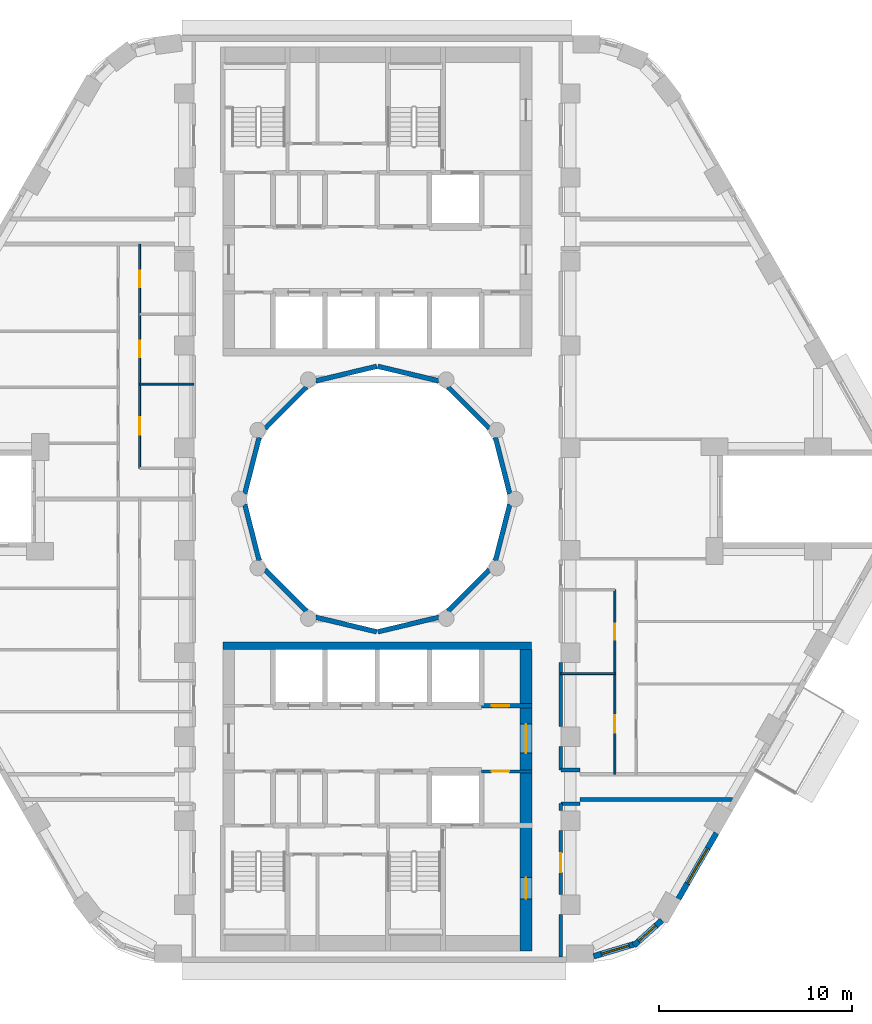
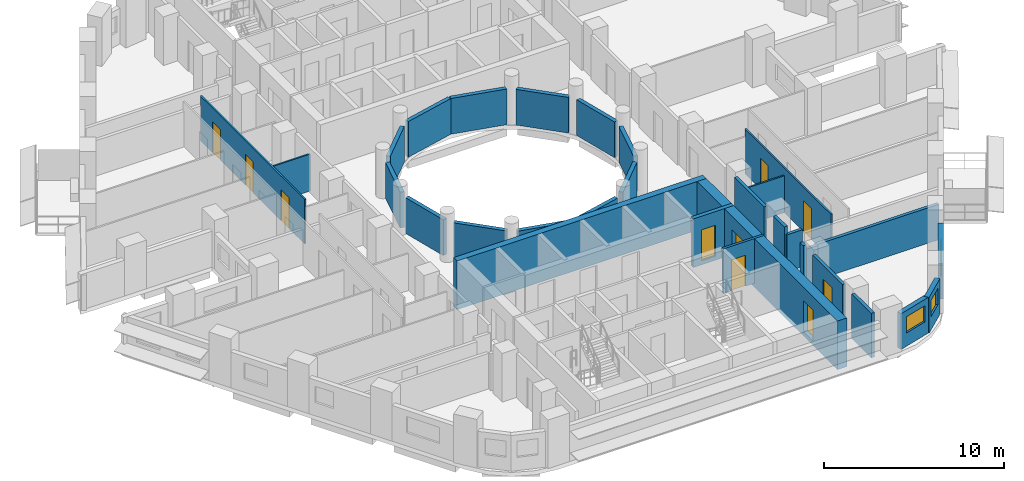
# One storey, part 5 of 14: 31 walls, 10 doors, 3 windows, 13 openings.
"""IFC4 building model written with IfcOpenShell, lengths in metres."""

from ifc_helpers import new_model, si_unit, direction, frame, frame_2d, origin, place, context, subcontext, project, spatial, rectangle, extrude, material, layer, layer_set, type_object, element, fill, save


model = new_model("IFC4")

# Units and contexts
model_context = context("Model", 3, precision=1e-05, world=origin(), true_north=direction((0.0, 1.0)))
body_context = subcontext(model_context, "Body", "Model", "MODEL_VIEW")
ifc_project = project(units=[si_unit("LENGTHUNIT", "METRE"), si_unit("AREAUNIT", "SQUARE_METRE"), si_unit("VOLUMEUNIT", "CUBIC_METRE"), si_unit("PLANEANGLEUNIT", "RADIAN"), si_unit("MASSUNIT", "GRAM", prefix="KILO")], contexts=[model_context])

# Site, building, storey
site_placement = place(None, origin())
site = spatial("IfcSite", under=ifc_project, at=site_placement, CompositionType="ELEMENT")
building_placement = place(site_placement, origin())
building = spatial("IfcBuilding", under=site, at=building_placement, Name="Nakaniwa Court", CompositionType="ELEMENT")
storey_placement = place(building_placement, frame((0.0, 0.0, 110.699951171875)))
storey = spatial("IfcBuildingStorey", under=building, at=storey_placement, Name="L29", CompositionType="ELEMENT", Elevation=110.699951171875)

# Wall
ifc_material_1 = material(Name="Acoustic double stud partition")
ifc_layer_1 = layer(ifc_material_1, 0.199951171875)
ifc_layer_set_1 = layer_set([ifc_layer_1], Name="Acoustic double stud partition")
wall_type_1 = type_object("IfcWallType", Name="Acoustic double stud partition 200", PredefinedType="PARTITIONING", material=ifc_layer_set_1)
wall_1_placement = place(storey_placement, frame((89.5, 56.300048828125, 0.0), z_axis=(0.0, 0.0, 1.0), x_axis=(0.0, 1.0, 0.0)))
element("IfcWall", 1, at=wall_1_placement, inside=storey, type_object=wall_type_1, Name="Partition PW-069", PredefinedType="PARTITIONING", context=body_context, shape_type="SweptSolid", body=[
    extrude(rectangle(XDim=2.182861328125, YDim=0.199951171875, at=frame_2d((1.09130859375, 0.0))), origin(), (0.0, 0.0, 1.0), 3.025146484375),
])

# Wall, opening, door
wall_2_placement = place(storey_placement, frame((89.5, 62.8330078125, 0.0), z_axis=(0.0, 0.0, 1.0), x_axis=(0.0, -1.0, 0.0)))
wall_2 = element("IfcWall", 2, at=wall_2_placement, inside=storey, type_object=wall_type_1, Name="Partition PW-070", PredefinedType="PARTITIONING", context=body_context, shape_type="SweptSolid", body=[
    extrude(rectangle(XDim=3.31591796875, YDim=0.199951171875, at=frame_2d((1.657958984375, 0.0))), origin(), (0.0, 0.0, 1.0), 3.025146484375),
])
opening_1_placement = place(wall_2_placement, frame((1.157958984375, 0.0, 0.0)))
opening_1 = element("IfcOpeningElement", 3, at=opening_1_placement, cuts=wall_2, Name="Opening D-02-01", PredefinedType="OPENING", context=body_context, shape_type="SweptSolid", body=[
    extrude(rectangle(XDim=1.0, YDim=2.10009765625, at=frame_2d((0.5, 1.050048828125))), frame((0.0, 0.10986328125, 0.0), z_axis=(0.0, -1.0, 0.0), x_axis=(1.0, 0.0, 0.0)), (0.0, 0.0, 1.0), 0.219970703125),
])
ifc_material_2 = material(Name="Solid core timber door set, black veneer", Category="wood")
door_type_1 = type_object("IfcDoorType", Name="Internal door 1000", OperationType="NOTDEFINED", PredefinedType="DOOR", material=ifc_material_2)
door_1_placement = place(opening_1_placement, origin())
door_1 = element("IfcDoor", 4, at=door_1_placement, inside=storey, type_object=door_type_1, Name="Door D-02-01 L29-027", OperationType="SINGLE_SWING_RIGHT", OverallHeight=2.10009765625, OverallWidth=1.0, PredefinedType="DOOR", context=body_context, shape_type="SweptSolid", body=[
    extrude(rectangle(XDim=1.0, YDim=2.10009765625, at=frame_2d((0.5, 1.050048828125))), frame((0.0, 0.02490234375, 0.0), z_axis=(0.0, -1.0, 0.0), x_axis=(1.0, 0.0, 0.0)), (0.0, 0.0, 1.0), 0.050048828125),
])
fill(opening_1, door_1)

# Walls
wall_3_placement = place(storey_placement, frame((89.5, 63.866943359375, 0.0), z_axis=(0.0, 0.0, 1.0), x_axis=(0.0, 1.0, 0.0)))
element("IfcWall", 5, at=wall_3_placement, inside=storey, type_object=wall_type_1, Name="Partition PW-071", PredefinedType="PARTITIONING", context=body_context, shape_type="SweptSolid", body=[
    extrude(rectangle(XDim=0.361083984375, YDim=0.199951171875, at=frame_2d((0.1806640625, 0.0))), origin(), (0.0, 0.0, 1.0), 3.025146484375),
])
wall_4_placement = place(storey_placement, frame((89.5, 65.971923828125, 0.0), z_axis=(0.0, 0.0, 1.0), x_axis=(0.0, 1.0, 0.0)))
element("IfcWall", 6, at=wall_4_placement, inside=storey, type_object=wall_type_1, Name="Partition PW-072", PredefinedType="PARTITIONING", context=body_context, shape_type="SweptSolid", body=[
    extrude(rectangle(XDim=1.211181640625, YDim=0.199951171875, at=frame_2d((0.60546875, 0.0))), origin(), (0.0, 0.0, 1.0), 3.025146484375),
])
wall_5_placement = place(storey_placement, frame((89.5, 68.217041015625, 0.0), z_axis=(0.0, 0.0, 1.0), x_axis=(0.0, 1.0, 0.0)))
element("IfcWall", 7, at=wall_5_placement, inside=storey, type_object=wall_type_1, Name="Partition PW-073", PredefinedType="PARTITIONING", context=body_context, shape_type="SweptSolid", body=[
    extrude(rectangle(XDim=3.31591796875, YDim=0.199951171875, at=frame_2d((1.657958984375, 0.0))), origin(), (0.0, 0.0, 1.0), 3.025146484375),
])
wall_6_placement = place(storey_placement, frame((90.5, 64.449951171875, 0.0), z_axis=(0.0, 0.0, 1.0), x_axis=(1.0, 0.0, 0.0)))
element("IfcWall", 8, at=wall_6_placement, inside=storey, type_object=wall_type_1, Name="Partition PW-090", PredefinedType="PARTITIONING", context=body_context, shape_type="SweptSolid", body=[
    extrude(rectangle(XDim=7.888671875, YDim=0.199951171875, at=frame_2d((3.9443359375, 0.0))), origin(), (0.0, 0.0, 1.0), 2.405029296875),
])
for number, where, z_axis, x_axis, name in (
    (9, (89.5, 64.22509765625, 0.0), (0.0, 0.0, 1.0), (1.0, 0.0, 0.0), "Partition PW-092"),
    (10, (89.5, 65.97509765625, 0.0), (0.0, 0.0, 1.0), (1.0, 0.0, 0.0), "Partition PW-094"),
):
    element("IfcWall", number, at=place(storey_placement, frame(where, z_axis=z_axis, x_axis=x_axis)), inside=storey, type_object=wall_type_1, Name=name, PredefinedType="PARTITIONING", context=body_context, shape_type="SweptSolid", body=[
        extrude(rectangle(XDim=1.0, YDim=0.199951171875, at=frame_2d((0.5, 0.0))), origin(), (0.0, 0.0, 1.0), 2.505126953125),
    ])

# Wall, opening, window
ifc_material_3 = material(Name="Charcoal ceramic cladding")
ifc_layer_2 = layer(ifc_material_3, 0.02, Name="Ceramic cladding")
ifc_material_4 = material(Name="Ventilated air cavity")
ifc_layer_3 = layer(ifc_material_4, 0.04, ventilated=True, Name="Ventilated cavity")
ifc_material_5 = material(Name="Mineral wool insulation")
ifc_layer_4 = layer(ifc_material_5, 0.1, Name="Insulation")
ifc_material_6 = material(Name="Cement bonded sheathing board")
ifc_layer_5 = layer(ifc_material_6, 0.012, Name="Sheathing")
ifc_material_7 = material(Name="Cold-formed galvanised stud frame with mineral wool infill")
ifc_layer_6 = layer(ifc_material_7, 0.1, Name="Stud frame")
ifc_material_8 = material(Name="Fire-rated gypsum plasterboard lining")
ifc_layer_7 = layer(ifc_material_8, 0.028, Name="Lining")
ifc_layer_set_2 = layer_set([ifc_layer_2, ifc_layer_3, ifc_layer_4, ifc_layer_5, ifc_layer_6, ifc_layer_7], Name="Charcoal ceramic faced external wall system")
wall_type_2 = type_object("IfcWallType", Name="Black ceramic faced external wall 300", PredefinedType="SOLIDWALL", material=ifc_layer_set_2)
wall_7_placement = place(storey_placement, frame((91.203369140625, 56.329833984375, 0.0), z_axis=(0.0, 0.0, 1.0), x_axis=(0.95847736903, 0.285168604614, 0.0)))
wall_7 = element("IfcWall", 11, at=wall_7_placement, inside=storey, type_object=wall_type_2, Name="L29 external wall 27", PredefinedType="SOLIDWALL", context=body_context, shape_type="SweptSolid", body=[
    extrude(rectangle(XDim=2.261962890625, YDim=0.300048828125, at=frame_2d((1.130859375, 0.0))), origin(), (0.0, 0.0, 1.0), 2.425048828125),
])
opening_2_placement = place(wall_7_placement, frame((0.418701171875, 0.0, 0.89990234375)))
opening_2 = element("IfcOpeningElement", 12, at=opening_2_placement, cuts=wall_7, Name="Opening W5.24", PredefinedType="OPENING", context=body_context, shape_type="SweptSolid", body=[
    extrude(rectangle(XDim=1.5, YDim=1.10009765625, at=frame_2d((0.75, 0.550048828125))), frame((0.0, 0.159912109375, 0.0), z_axis=(0.0, -1.0, 0.0), x_axis=(1.0, 0.0, 0.0)), (0.0, 0.0, 1.0), 0.320068359375),
])
ifc_material_9 = material(Name="Black anodised aluminium frame with dark low-E laminated double glazing", Category="aluminium")
window_type_1 = type_object("IfcWindowType", Name="Dark glass window 1500x1100 sill 900", PartitioningType="SINGLE_PANEL", PredefinedType="WINDOW", material=ifc_material_9)
window_1_placement = place(opening_2_placement, origin())
window_1 = element("IfcWindow", 13, at=window_1_placement, inside=storey, type_object=window_type_1, Name="L29 habitable room window 27-0", OverallHeight=1.10009765625, OverallWidth=1.5, PartitioningType="SINGLE_PANEL", PredefinedType="WINDOW", context=body_context, shape_type="SweptSolid", body=[
    extrude(rectangle(XDim=1.5, YDim=1.10009765625, at=frame_2d((0.75, 0.550048828125))), frame((0.0, 0.030029296875, 0.0), z_axis=(0.0, -1.0, 0.0), x_axis=(1.0, 0.0, 0.0)), (0.0, 0.0, 1.0), 0.06005859375),
])
fill(opening_2, window_1)

wall_8_placement = place(storey_placement, frame((93.283447265625, 56.88671875, 0.0), z_axis=(0.0, 0.0, 1.0), x_axis=(0.743785734967, 0.668418117992, 0.0)))
wall_8 = element("IfcWall", 14, at=wall_8_placement, inside=storey, type_object=wall_type_2, Name="L29 external wall 28", PredefinedType="SOLIDWALL", context=body_context, shape_type="SweptSolid", body=[
    extrude(rectangle(XDim=1.9501953125, YDim=0.300048828125, at=frame_2d((0.97509765625, 0.0))), origin(), (0.0, 0.0, 1.0), 2.425048828125),
])
opening_3_placement = place(wall_8_placement, frame((0.334716796875, 0.0, 0.89990234375)))
opening_3 = element("IfcOpeningElement", 15, at=opening_3_placement, cuts=wall_8, Name="Opening W6.25", PredefinedType="OPENING", context=body_context, shape_type="SweptSolid", body=[
    extrude(rectangle(XDim=1.199951171875, YDim=1.10009765625, at=frame_2d((0.60009765625, 0.550048828125))), frame((0.0, 0.159912109375, 0.0), z_axis=(0.0, -1.0, 0.0), x_axis=(1.0, 0.0, 0.0)), (0.0, 0.0, 1.0), 0.320068359375),
])
window_type_2 = type_object("IfcWindowType", Name="Dark glass window 1200x1100 sill 900", PartitioningType="SINGLE_PANEL", PredefinedType="WINDOW", material=ifc_material_9)
window_2_placement = place(opening_3_placement, origin())
window_2 = element("IfcWindow", 16, at=window_2_placement, inside=storey, type_object=window_type_2, Name="L29 habitable room window 28-0", OverallHeight=1.10009765625, OverallWidth=1.199951171875, PartitioningType="SINGLE_PANEL", PredefinedType="WINDOW", context=body_context, shape_type="SweptSolid", body=[
    extrude(rectangle(XDim=1.199951171875, YDim=1.10009765625, at=frame_2d((0.60009765625, 0.550048828125))), frame((0.0, 0.030029296875, 0.0), z_axis=(0.0, -1.0, 0.0), x_axis=(1.0, 0.0, 0.0)), (0.0, 0.0, 1.0), 0.06005859375),
])
fill(opening_3, window_2)

wall_9_placement = place(storey_placement, frame((95.59033203125, 59.30322265625, 0.0), z_axis=(0.0, 0.0, 1.0), x_axis=(0.500003583557, 0.866023334807, 0.0)))
wall_9 = element("IfcWall", 17, at=wall_9_placement, inside=storey, type_object=wall_type_2, Name="L29 external wall 29", PredefinedType="SOLIDWALL", context=body_context, shape_type="SweptSolid", body=[
    extrude(rectangle(XDim=3.93408203125, YDim=0.300048828125, at=frame_2d((1.967041015625, 0.0))), origin(), (0.0, 0.0, 1.0), 2.425048828125),
])
opening_4_placement = place(wall_9_placement, frame((0.9169921875, 0.0, 0.89990234375)))
opening_4 = element("IfcOpeningElement", 18, at=opening_4_placement, cuts=wall_9, Name="Opening W7.26", PredefinedType="OPENING", context=body_context, shape_type="SweptSolid", body=[
    extrude(rectangle(XDim=2.10009765625, YDim=1.10009765625, at=frame_2d((1.050048828125, 0.550048828125))), frame((0.0, 0.159912109375, 0.0), z_axis=(0.0, -1.0, 0.0), x_axis=(1.0, 0.0, 0.0)), (0.0, 0.0, 1.0), 0.320068359375),
])
window_type_3 = type_object("IfcWindowType", Name="Dark glass window 2100x1100 sill 900", PartitioningType="SINGLE_PANEL", PredefinedType="WINDOW", material=ifc_material_9)
window_3_placement = place(opening_4_placement, origin())
window_3 = element("IfcWindow", 19, at=window_3_placement, inside=storey, type_object=window_type_3, Name="L29 habitable room window 29-0", OverallHeight=1.10009765625, OverallWidth=2.10009765625, PartitioningType="SINGLE_PANEL", PredefinedType="WINDOW", context=body_context, shape_type="SweptSolid", body=[
    extrude(rectangle(XDim=2.10009765625, YDim=1.10009765625, at=frame_2d((1.050048828125, 0.550048828125))), frame((0.0, 0.030029296875, 0.0), z_axis=(0.0, -1.0, 0.0), x_axis=(1.0, 0.0, 0.0)), (0.0, 0.0, 1.0), 0.06005859375),
])
fill(opening_4, window_3)

# Wall, opening, door
ifc_material_10 = material(Name="Blockwork partition", Category="masonry")
ifc_layer_8 = layer(ifc_material_10, 0.14990234375)
ifc_layer_set_3 = layer_set([ifc_layer_8], Name="Blockwork partition")
wall_type_3 = type_object("IfcWallType", Name="Blockwork partition 150", PredefinedType="PARTITIONING", material=ifc_layer_set_3)
wall_10_placement = place(storey_placement, frame((88.0, 65.89990234375, 0.0), z_axis=(0.0, 0.0, 1.0), x_axis=(-1.0, 0.0, 0.0)))
wall_10 = element("IfcWall", 20, at=wall_10_placement, inside=storey, type_object=wall_type_3, Name="Partition PW-052", PredefinedType="PARTITIONING", context=body_context, shape_type="SweptSolid", body=[
    extrude(rectangle(XDim=2.60302734375, YDim=0.14990234375, at=frame_2d((1.301513671875, 0.0))), origin(), (0.0, 0.0, 1.0), 3.025146484375),
])
opening_5_placement = place(wall_10_placement, frame((1.175048828125, 0.0, 0.0)))
opening_5 = element("IfcOpeningElement", 21, at=opening_5_placement, cuts=wall_10, Name="Opening D-05-14", PredefinedType="OPENING", context=body_context, shape_type="SweptSolid", body=[
    extrude(rectangle(XDim=0.89990234375, YDim=2.10009765625, at=frame_2d((0.449951171875, 1.050048828125))), frame((0.0, 0.0849609375, 0.0), z_axis=(0.0, -1.0, 0.0), x_axis=(1.0, 0.0, 0.0)), (0.0, 0.0, 1.0), 0.169921875),
])
ifc_material_11 = material(Name="Fire rated steel door set", Category="steel")
door_type_2 = type_object("IfcDoorType", Name="Service room door 900", OperationType="NOTDEFINED", PredefinedType="DOOR", material=ifc_material_11)
door_2_placement = place(opening_5_placement, origin())
door_2 = element("IfcDoor", 22, at=door_2_placement, inside=storey, type_object=door_type_2, Name="Door D-05-14 L29-021", OperationType="SINGLE_SWING_RIGHT", OverallHeight=2.10009765625, OverallWidth=0.89990234375, PredefinedType="DOOR", context=body_context, shape_type="SweptSolid", body=[
    extrude(rectangle(XDim=0.89990234375, YDim=2.10009765625, at=frame_2d((0.449951171875, 1.050048828125))), frame((0.0, 0.02490234375, 0.0), z_axis=(0.0, -1.0, 0.0), x_axis=(1.0, 0.0, 0.0)), (0.0, 0.0, 1.0), 0.050048828125),
])
fill(opening_5, door_2)

# Walls
ifc_layer_9 = layer(ifc_material_3, 0.02, Name="Ceramic cladding")
ifc_layer_10 = layer(ifc_material_4, 0.04, ventilated=True, Name="Ventilated cavity")
ifc_layer_11 = layer(ifc_material_5, 0.075, Name="Insulation")
ifc_layer_12 = layer(ifc_material_6, 0.012, Name="Sheathing")
ifc_layer_13 = layer(ifc_material_7, 0.075, Name="Stud frame")
ifc_layer_14 = layer(ifc_material_8, 0.028, Name="Lining")
ifc_layer_set_4 = layer_set([ifc_layer_9, ifc_layer_10, ifc_layer_11, ifc_layer_12, ifc_layer_13, ifc_layer_14], Name="Charcoal ceramic faced external wall system")
wall_type_4 = type_object("IfcWallType", Name="Charcoal ceramic faced well wall 250", PredefinedType="SOLIDWALL", material=ifc_layer_set_4)
wall_11_placement = place(storey_placement, frame((86.8603515625, 79.72998046875, 0.0), z_axis=(0.0, 0.0, 1.0), x_axis=(-0.247055971283, -0.969001211069, 0.0)))
element("IfcWall", 23, at=wall_11_placement, inside=storey, type_object=wall_type_4, Name="L29 external wall 36", PredefinedType="SOLIDWALL", context=body_context, shape_type="SweptSolid", body=[
    extrude(rectangle(XDim=3.010009765625, YDim=0.25, at=frame_2d((1.5048828125, 0.0))), origin(), (0.0, 0.0, 1.0), 2.425048828125),
])
wall_12_placement = place(storey_placement, frame((85.8056640625, 76.339111328125, 0.0), z_axis=(0.0, 0.0, 1.0), x_axis=(-0.707106781187, -0.707106781187, 0.0)))
element("IfcWall", 24, at=wall_12_placement, inside=storey, type_object=wall_type_4, Name="L29 external wall 37", PredefinedType="SOLIDWALL", context=body_context, shape_type="SweptSolid", body=[
    extrude(rectangle(XDim=3.033203125, YDim=0.25, at=frame_2d((1.5166015625, 0.0))), origin(), (0.0, 0.0, 1.0), 2.425048828125),
])
for number, where, z_axis, x_axis, name in (
    (25, (83.186279296875, 73.880615234375, 0.0), (0.0, 0.0, 1.0), (-0.972773113459, -0.231759508395, 0.0), "L29 external wall 38"),
    (26, (79.970947265625, 73.12841796875, 0.0), (0.0, 0.0, 1.0), (-0.972773113459, 0.231759508395, 0.0), "L29 external wall 39"),
):
    element("IfcWall", number, at=place(storey_placement, frame(where, z_axis=z_axis, x_axis=x_axis)), inside=storey, type_object=wall_type_4, Name=name, PredefinedType="SOLIDWALL", context=body_context, shape_type="SweptSolid", body=[
        extrude(rectangle(XDim=3.24560546875, YDim=0.25, at=frame_2d((1.622802734375, 0.0))), origin(), (0.0, 0.0, 1.0), 2.425048828125),
    ])
wall_13_placement = place(storey_placement, frame((76.339111328125, 74.1943359375, 0.0), z_axis=(0.0, 0.0, 1.0), x_axis=(-0.707106781187, 0.707106781187, 0.0)))
element("IfcWall", 27, at=wall_13_placement, inside=storey, type_object=wall_type_4, Name="L29 external wall 40", PredefinedType="SOLIDWALL", context=body_context, shape_type="SweptSolid", body=[
    extrude(rectangle(XDim=3.033203125, YDim=0.25, at=frame_2d((1.5166015625, 0.0))), origin(), (0.0, 0.0, 1.0), 2.425048828125),
])
for number, where, z_axis, x_axis, name in (
    (28, (73.88330078125, 76.813232421875, 0.0), (0.0, 0.0, 1.0), (-0.247055971283, 0.969001211069, 0.0), "L29 external wall 41"),
    (29, (73.1396484375, 80.27001953125, 0.0), (0.0, 0.0, 1.0), (0.247055971283, 0.969001211069, 0.0), "L29 external wall 42"),
):
    element("IfcWall", number, at=place(storey_placement, frame(where, z_axis=z_axis, x_axis=x_axis)), inside=storey, type_object=wall_type_4, Name=name, PredefinedType="SOLIDWALL", context=body_context, shape_type="SweptSolid", body=[
        extrude(rectangle(XDim=3.010009765625, YDim=0.25, at=frame_2d((1.5048828125, 0.0))), origin(), (0.0, 0.0, 1.0), 2.425048828125),
    ])
wall_14_placement = place(storey_placement, frame((74.1943359375, 83.660888671875, 0.0), z_axis=(0.0, 0.0, 1.0), x_axis=(0.707106781187, 0.707106781187, 0.0)))
element("IfcWall", 30, at=wall_14_placement, inside=storey, type_object=wall_type_4, Name="L29 external wall 43", PredefinedType="SOLIDWALL", context=body_context, shape_type="SweptSolid", body=[
    extrude(rectangle(XDim=3.033203125, YDim=0.25, at=frame_2d((1.5166015625, 0.0))), origin(), (0.0, 0.0, 1.0), 2.425048828125),
])
for number, where, z_axis, x_axis, name in (
    (31, (76.813720703125, 86.119384765625, 0.0), (0.0, 0.0, 1.0), (0.972773113459, 0.231759508395, 0.0), "L29 external wall 44"),
    (32, (80.029052734375, 86.87158203125, 0.0), (0.0, 0.0, 1.0), (0.972773113459, -0.231759508395, 0.0), "L29 external wall 45"),
):
    element("IfcWall", number, at=place(storey_placement, frame(where, z_axis=z_axis, x_axis=x_axis)), inside=storey, type_object=wall_type_4, Name=name, PredefinedType="SOLIDWALL", context=body_context, shape_type="SweptSolid", body=[
        extrude(rectangle(XDim=3.24560546875, YDim=0.25, at=frame_2d((1.622802734375, 0.0))), origin(), (0.0, 0.0, 1.0), 2.425048828125),
    ])
wall_15_placement = place(storey_placement, frame((83.660888671875, 85.8056640625, 0.0), z_axis=(0.0, 0.0, 1.0), x_axis=(0.707106781187, -0.707106781187, 0.0)))
element("IfcWall", 33, at=wall_15_placement, inside=storey, type_object=wall_type_4, Name="L29 external wall 46", PredefinedType="SOLIDWALL", context=body_context, shape_type="SweptSolid", body=[
    extrude(rectangle(XDim=3.033203125, YDim=0.25, at=frame_2d((1.5166015625, 0.0))), origin(), (0.0, 0.0, 1.0), 2.425048828125),
])
wall_16_placement = place(storey_placement, frame((86.11669921875, 83.186767578125, 0.0), z_axis=(0.0, 0.0, 1.0), x_axis=(0.247055971283, -0.969001211069, 0.0)))
element("IfcWall", 34, at=wall_16_placement, inside=storey, type_object=wall_type_4, Name="L29 external wall 47", PredefinedType="SOLIDWALL", context=body_context, shape_type="SweptSolid", body=[
    extrude(rectangle(XDim=3.010009765625, YDim=0.25, at=frame_2d((1.5048828125, 0.0))), origin(), (0.0, 0.0, 1.0), 2.425048828125),
])

# Wall, openings, doors
ifc_material_12 = material(Name="Concrete C80/100", Category="concrete")
ifc_layer_15 = layer(ifc_material_12, 0.60009765625)
ifc_layer_set_5 = layer_set([ifc_layer_15], Name="Concrete C80/100")
wall_type_5 = type_object("IfcWallType", Name="Concrete core side wall 600 C80", PredefinedType="SHEAR", material=ifc_layer_set_5)
wall_17_placement = place(storey_placement, frame((87.699951171875, 72.199951171875, -0.27490234375), z_axis=(0.0, 0.0, 1.0), x_axis=(0.0, -1.0, 0.0)))
wall_17 = element("IfcWall", 35, at=wall_17_placement, inside=storey, type_object=wall_type_5, Name="Core wall SW-49", PredefinedType="SHEAR", context=body_context, shape_type="SweptSolid", body=[
    extrude(rectangle(XDim=15.599853515625, YDim=0.60009765625, at=frame_2d((7.7998046875, 0.0))), origin(), (0.0, 0.0, 1.0), 3.300048828125),
])
opening_6_placement = place(wall_17_placement, frame((3.85009765625, 0.0, 0.27490234375)))
opening_6 = element("IfcOpeningElement", 36, at=opening_6_placement, cuts=wall_17, Name="Opening D-07-03", PredefinedType="OPENING", context=body_context, shape_type="SweptSolid", body=[
    extrude(rectangle(XDim=1.5, YDim=2.10009765625, at=frame_2d((0.75, 1.050048828125))), frame((0.0, 0.31005859375, 0.0), z_axis=(0.0, -1.0, 0.0), x_axis=(1.0, 0.0, 0.0)), (0.0, 0.0, 1.0), 0.6201171875),
])
opening_7_placement = place(wall_17_placement, frame((11.800048828125, 0.0, 0.27490234375)))
opening_7 = element("IfcOpeningElement", 37, at=opening_7_placement, cuts=wall_17, Name="Opening D-10-02", PredefinedType="OPENING", context=body_context, shape_type="SweptSolid", body=[
    extrude(rectangle(XDim=1.10009765625, YDim=2.10009765625, at=frame_2d((0.550048828125, 1.050048828125))), frame((0.0, 0.31005859375, 0.0), z_axis=(0.0, -1.0, 0.0), x_axis=(1.0, 0.0, 0.0)), (0.0, 0.0, 1.0), 0.6201171875),
])
door_type_3 = type_object("IfcDoorType", Name="Firefighting lobby door 1100", OperationType="NOTDEFINED", PredefinedType="DOOR", material=ifc_material_11)
door_3_placement = place(opening_7_placement, origin())
door_3 = element("IfcDoor", 38, at=door_3_placement, inside=storey, type_object=door_type_3, Name="Door D-10-02 L29-059", OperationType="SINGLE_SWING_RIGHT", OverallHeight=2.10009765625, OverallWidth=1.10009765625, PredefinedType="DOOR", context=body_context, shape_type="SweptSolid", body=[
    extrude(rectangle(XDim=1.10009765625, YDim=2.10009765625, at=frame_2d((0.550048828125, 1.050048828125))), frame((0.0, 0.02490234375, 0.0), z_axis=(0.0, -1.0, 0.0), x_axis=(1.0, 0.0, 0.0)), (0.0, 0.0, 1.0), 0.050048828125),
])
fill(opening_7, door_3)
ifc_material_13 = material(Name="Glazed fire rated steel double door set", Category="steel")
door_type_4 = type_object("IfcDoorType", Name="Lobby double door 1500", OperationType="NOTDEFINED", PredefinedType="DOOR", material=ifc_material_13)
door_4_placement = place(opening_6_placement, origin())
door_4 = element("IfcDoor", 39, at=door_4_placement, inside=storey, type_object=door_type_4, Name="Door D-07-03 L29-057", OperationType="DOUBLE_DOOR_SINGLE_SWING", OverallHeight=2.10009765625, OverallWidth=1.5, PredefinedType="DOOR", context=body_context, shape_type="SweptSolid", body=[
    extrude(rectangle(XDim=1.5, YDim=2.10009765625, at=frame_2d((0.75, 1.050048828125))), frame((0.0, 0.02490234375, 0.0), z_axis=(0.0, -1.0, 0.0), x_axis=(1.0, 0.0, 0.0)), (0.0, 0.0, 1.0), 0.050048828125),
])
fill(opening_6, door_4)

# Wall
ifc_layer_16 = layer(ifc_material_12, 0.39990234375)
ifc_layer_set_6 = layer_set([ifc_layer_16], Name="Concrete C80/100")
wall_type_6 = type_object("IfcWallType", Name="Concrete core well wall 400 C80", PredefinedType="SHEAR", material=ifc_layer_set_6)
wall_18_placement = place(storey_placement, frame((72.00390625, 72.39990234375, -0.27490234375), z_axis=(0.0, 0.0, 1.0), x_axis=(1.0, 0.0, 0.0)))
element("IfcWall", 40, at=wall_18_placement, inside=storey, type_object=wall_type_6, Name="Core wall SW-134", PredefinedType="SHEAR", context=body_context, shape_type="SweptSolid", body=[
    extrude(rectangle(XDim=15.9921875, YDim=0.39990234375, at=frame_2d((7.99609375, 0.0))), origin(), (0.0, 0.0, 1.0), 3.300048828125),
])

# Wall, opening, door
ifc_layer_17 = layer(ifc_material_12, 0.25)
ifc_layer_set_7 = layer_set([ifc_layer_17], Name="Concrete C80/100")
wall_type_7 = type_object("IfcWallType", Name="Concrete shaft wall 250 C80", PredefinedType="SHEAR", material=ifc_layer_set_7)
wall_19_placement = place(storey_placement, frame((85.39990234375, 69.300048828125, -0.27490234375), z_axis=(0.0, 0.0, 1.0), x_axis=(1.0, 0.0, 0.0)))
wall_19 = element("IfcWall", 41, at=wall_19_placement, inside=storey, type_object=wall_type_7, Name="Core wall SW-48", PredefinedType="SHEAR", context=body_context, shape_type="SweptSolid", body=[
    extrude(rectangle(XDim=2.60009765625, YDim=0.25, at=frame_2d((1.300048828125, 0.0))), origin(), (0.0, 0.0, 1.0), 3.300048828125),
])
opening_8_placement = place(wall_19_placement, frame((0.52490234375, 0.0, 0.27490234375)))
opening_8 = element("IfcOpeningElement", 42, at=opening_8_placement, cuts=wall_19, Name="Opening D-05-10", PredefinedType="OPENING", context=body_context, shape_type="SweptSolid", body=[
    extrude(rectangle(XDim=0.89990234375, YDim=2.10009765625, at=frame_2d((0.449951171875, 1.050048828125))), frame((0.0, 0.135009765625, 0.0), z_axis=(0.0, -1.0, 0.0), x_axis=(1.0, 0.0, 0.0)), (0.0, 0.0, 1.0), 0.27001953125),
])
door_5_placement = place(opening_8_placement, origin())
door_5 = element("IfcDoor", 43, at=door_5_placement, inside=storey, type_object=door_type_2, Name="Door D-05-10 L29-015", OperationType="SINGLE_SWING_RIGHT", OverallHeight=2.10009765625, OverallWidth=0.89990234375, PredefinedType="DOOR", context=body_context, shape_type="SweptSolid", body=[
    extrude(rectangle(XDim=0.89990234375, YDim=2.10009765625, at=frame_2d((0.449951171875, 1.050048828125))), frame((0.0, 0.02490234375, 0.0), z_axis=(0.0, -1.0, 0.0), x_axis=(1.0, 0.0, 0.0)), (0.0, 0.0, 1.0), 0.050048828125),
])
fill(opening_8, door_5)

# Wall
ifc_material_14 = material(Name="Single stud plasterboard partition")
ifc_layer_18 = layer(ifc_material_14, 0.10009765625)
ifc_layer_set_8 = layer_set([ifc_layer_18], Name="Single stud plasterboard partition")
wall_type_8 = type_object("IfcWallType", Name="Single stud plasterboard partition 100", PredefinedType="PARTITIONING", material=ifc_layer_set_8)
wall_20_placement = place(storey_placement, frame((89.5, 70.958984375, 0.0), z_axis=(0.0, 0.0, 1.0), x_axis=(1.0, 0.0, 0.0)))
element("IfcWall", 44, at=wall_20_placement, inside=storey, type_object=wall_type_8, Name="Partition PW-109", PredefinedType="PARTITIONING", context=body_context, shape_type="SweptSolid", body=[
    extrude(rectangle(XDim=2.800048828125, YDim=0.10009765625, at=frame_2d((1.39990234375, 0.0))), origin(), (0.0, 0.0, 1.0), 2.505126953125),
])

# Wall, openings, doors
wall_21_placement = place(storey_placement, frame((92.300048828125, 65.75, 0.0), z_axis=(0.0, 0.0, 1.0), x_axis=(0.0, 1.0, 0.0)))
wall_21 = element("IfcWall", 45, at=wall_21_placement, inside=storey, type_object=wall_type_8, Name="Partition PW-110", PredefinedType="PARTITIONING", context=body_context, shape_type="SweptSolid", body=[
    extrude(rectangle(XDim=9.550048828125, YDim=0.10009765625, at=frame_2d((4.77490234375, 0.0))), origin(), (0.0, 0.0, 1.0), 3.025146484375),
])
opening_9_placement = place(wall_21_placement, frame((2.155029296875, 0.0, 0.0)))
opening_9 = element("IfcOpeningElement", 46, at=opening_9_placement, cuts=wall_21, Name="Opening D-33-01", PredefinedType="OPENING", context=body_context, shape_type="SweptSolid", body=[
    extrude(rectangle(XDim=0.89990234375, YDim=2.10009765625, at=frame_2d((0.449951171875, 1.050048828125))), frame((0.0, 0.06005859375, 0.0), z_axis=(0.0, -1.0, 0.0), x_axis=(1.0, 0.0, 0.0)), (0.0, 0.0, 1.0), 0.1201171875),
])
opening_10_placement = place(wall_21_placement, frame((6.955078125, 0.0, 0.0)))
opening_10 = element("IfcOpeningElement", 47, at=opening_10_placement, cuts=wall_21, Name="Opening D-03-01", PredefinedType="OPENING", context=body_context, shape_type="SweptSolid", body=[
    extrude(rectangle(XDim=0.85009765625, YDim=2.10009765625, at=frame_2d((0.425048828125, 1.050048828125))), frame((0.0, 0.06005859375, 0.0), z_axis=(0.0, -1.0, 0.0), x_axis=(1.0, 0.0, 0.0)), (0.0, 0.0, 1.0), 0.1201171875),
])
ifc_material_15 = material(Name="Moisture sealed timber door set", Category="wood")
door_type_5 = type_object("IfcDoorType", Name="Bathroom door 850", OperationType="NOTDEFINED", PredefinedType="DOOR", material=ifc_material_15)
door_6_placement = place(opening_10_placement, origin())
door_6 = element("IfcDoor", 48, at=door_6_placement, inside=storey, type_object=door_type_5, Name="Door D-03-01 L29-030", OperationType="SINGLE_SWING_LEFT", OverallHeight=2.10009765625, OverallWidth=0.85009765625, PredefinedType="DOOR", context=body_context, shape_type="SweptSolid", body=[
    extrude(rectangle(XDim=0.85009765625, YDim=2.10009765625, at=frame_2d((0.425048828125, 1.050048828125))), frame((0.0, 0.02490234375, 0.0), z_axis=(0.0, -1.0, 0.0), x_axis=(1.0, 0.0, 0.0)), (0.0, 0.0, 1.0), 0.050048828125),
])
fill(opening_10, door_6)
door_type_6 = type_object("IfcDoorType", Name="Internal door 900", OperationType="NOTDEFINED", PredefinedType="DOOR", material=ifc_material_2)
door_7_placement = place(opening_9_placement, origin())
door_7 = element("IfcDoor", 49, at=door_7_placement, inside=storey, type_object=door_type_6, Name="Door D-33-01 L29-029", OperationType="SINGLE_SWING_RIGHT", OverallHeight=2.10009765625, OverallWidth=0.89990234375, PredefinedType="DOOR", context=body_context, shape_type="SweptSolid", body=[
    extrude(rectangle(XDim=0.89990234375, YDim=2.10009765625, at=frame_2d((0.449951171875, 1.050048828125))), frame((0.0, 0.02490234375, 0.0), z_axis=(0.0, -1.0, 0.0), x_axis=(1.0, 0.0, 0.0)), (0.0, 0.0, 1.0), 0.050048828125),
])
fill(opening_9, door_7)

wall_22_placement = place(storey_placement, frame((67.699951171875, 93.199951171875, 0.0), z_axis=(0.0, 0.0, 1.0), x_axis=(0.0, -1.0, 0.0)))
wall_22 = element("IfcWall", 50, at=wall_22_placement, inside=storey, type_object=wall_type_8, Name="Partition PW-120", PredefinedType="PARTITIONING", context=body_context, shape_type="SweptSolid", body=[
    extrude(rectangle(XDim=11.599853515625, YDim=0.10009765625, at=frame_2d((5.7998046875, 0.0))), origin(), (0.0, 0.0, 1.0), 3.025146484375),
])
opening_11_placement = place(wall_22_placement, frame((8.97509765625, 0.0, 0.0)))
opening_11 = element("IfcOpeningElement", 51, at=opening_11_placement, cuts=wall_22, Name="Opening D-33-09", PredefinedType="OPENING", context=body_context, shape_type="SweptSolid", body=[
    extrude(rectangle(XDim=0.89990234375, YDim=2.10009765625, at=frame_2d((0.449951171875, 1.050048828125))), frame((0.0, 0.06005859375, 0.0), z_axis=(0.0, -1.0, 0.0), x_axis=(1.0, 0.0, 0.0)), (0.0, 0.0, 1.0), 0.1201171875),
])
opening_12_placement = place(wall_22_placement, frame((5.011962890625, 0.0, 0.0)))
opening_12 = element("IfcOpeningElement", 52, at=opening_12_placement, cuts=wall_22, Name="Opening D-03-03", PredefinedType="OPENING", context=body_context, shape_type="SweptSolid", body=[
    extrude(rectangle(XDim=0.85009765625, YDim=2.10009765625, at=frame_2d((0.425048828125, 1.050048828125))), frame((0.0, 0.06005859375, 0.0), z_axis=(0.0, -1.0, 0.0), x_axis=(1.0, 0.0, 0.0)), (0.0, 0.0, 1.0), 0.1201171875),
])
opening_13_placement = place(wall_22_placement, frame((1.386962890625, 0.0, 0.0)))
opening_13 = element("IfcOpeningElement", 53, at=opening_13_placement, cuts=wall_22, Name="Opening D-03-04", PredefinedType="OPENING", context=body_context, shape_type="SweptSolid", body=[
    extrude(rectangle(XDim=0.85009765625, YDim=2.10009765625, at=frame_2d((0.425048828125, 1.050048828125))), frame((0.0, 0.06005859375, 0.0), z_axis=(0.0, -1.0, 0.0), x_axis=(1.0, 0.0, 0.0)), (0.0, 0.0, 1.0), 0.1201171875),
])
door_8_placement = place(opening_12_placement, origin())
door_8 = element("IfcDoor", 54, at=door_8_placement, inside=storey, type_object=door_type_5, Name="Door D-03-03 L29-046", OperationType="SINGLE_SWING_LEFT", OverallHeight=2.10009765625, OverallWidth=0.85009765625, PredefinedType="DOOR", context=body_context, shape_type="SweptSolid", body=[
    extrude(rectangle(XDim=0.85009765625, YDim=2.10009765625, at=frame_2d((0.425048828125, 1.050048828125))), frame((0.0, 0.02490234375, 0.0), z_axis=(0.0, -1.0, 0.0), x_axis=(1.0, 0.0, 0.0)), (0.0, 0.0, 1.0), 0.050048828125),
])
fill(opening_12, door_8)
door_9_placement = place(opening_13_placement, origin())
door_9 = element("IfcDoor", 55, at=door_9_placement, inside=storey, type_object=door_type_5, Name="Door D-03-04 L29-047", OperationType="SINGLE_SWING_RIGHT", OverallHeight=2.10009765625, OverallWidth=0.85009765625, PredefinedType="DOOR", context=body_context, shape_type="SweptSolid", body=[
    extrude(rectangle(XDim=0.85009765625, YDim=2.10009765625, at=frame_2d((0.425048828125, 1.050048828125))), frame((0.0, 0.02490234375, 0.0), z_axis=(0.0, -1.0, 0.0), x_axis=(1.0, 0.0, 0.0)), (0.0, 0.0, 1.0), 0.050048828125),
])
fill(opening_13, door_9)
door_10_placement = place(opening_11_placement, origin())
door_10 = element("IfcDoor", 56, at=door_10_placement, inside=storey, type_object=door_type_6, Name="Door D-33-09 L29-045", OperationType="SINGLE_SWING_RIGHT", OverallHeight=2.10009765625, OverallWidth=0.89990234375, PredefinedType="DOOR", context=body_context, shape_type="SweptSolid", body=[
    extrude(rectangle(XDim=0.89990234375, YDim=2.10009765625, at=frame_2d((0.449951171875, 1.050048828125))), frame((0.0, 0.02490234375, 0.0), z_axis=(0.0, -1.0, 0.0), x_axis=(1.0, 0.0, 0.0)), (0.0, 0.0, 1.0), 0.050048828125),
])
fill(opening_11, door_10)

# Wall
wall_23_placement = place(storey_placement, frame((67.699951171875, 85.949951171875, 0.0), z_axis=(0.0, 0.0, 1.0), x_axis=(1.0, 0.0, 0.0)))
element("IfcWall", 57, at=wall_23_placement, inside=storey, type_object=wall_type_8, Name="Partition PW-126", PredefinedType="PARTITIONING", context=body_context, shape_type="SweptSolid", body=[
    extrude(rectangle(XDim=2.800048828125, YDim=0.10009765625, at=frame_2d((1.39990234375, 0.0))), origin(), (0.0, 0.0, 1.0), 2.505126953125),
])

save(model, "model.ifc")
